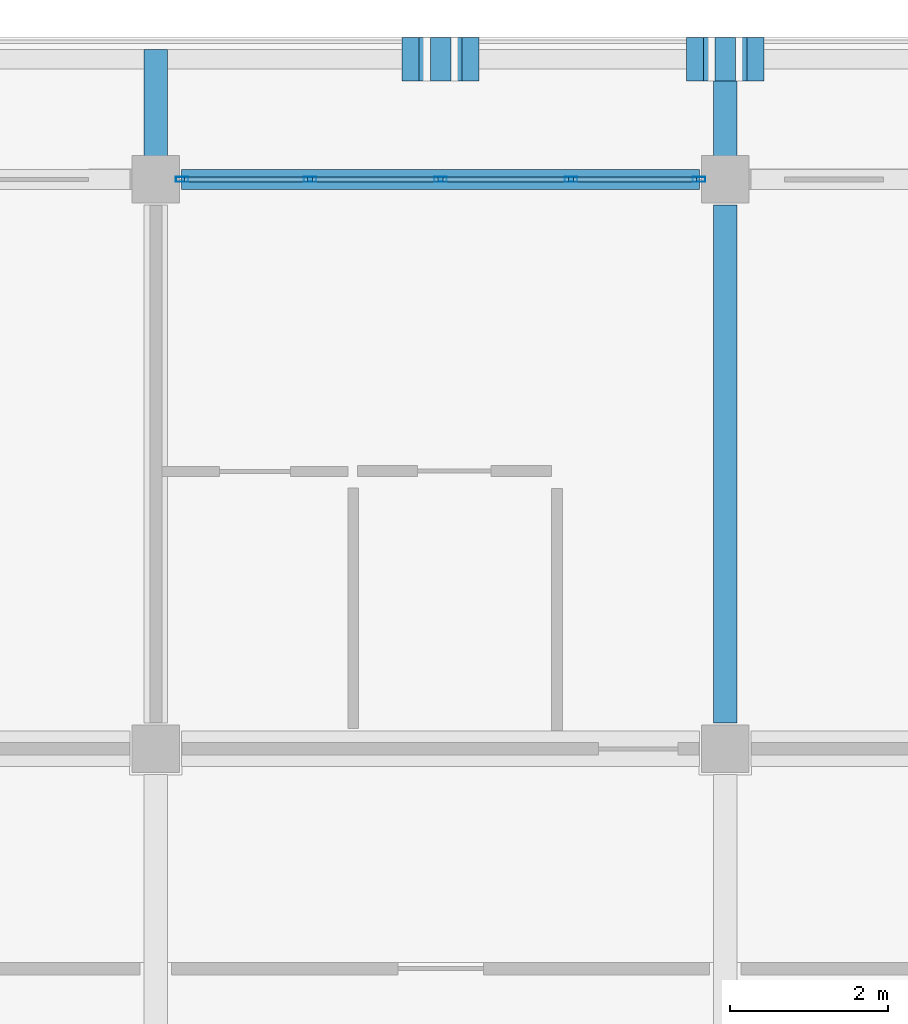
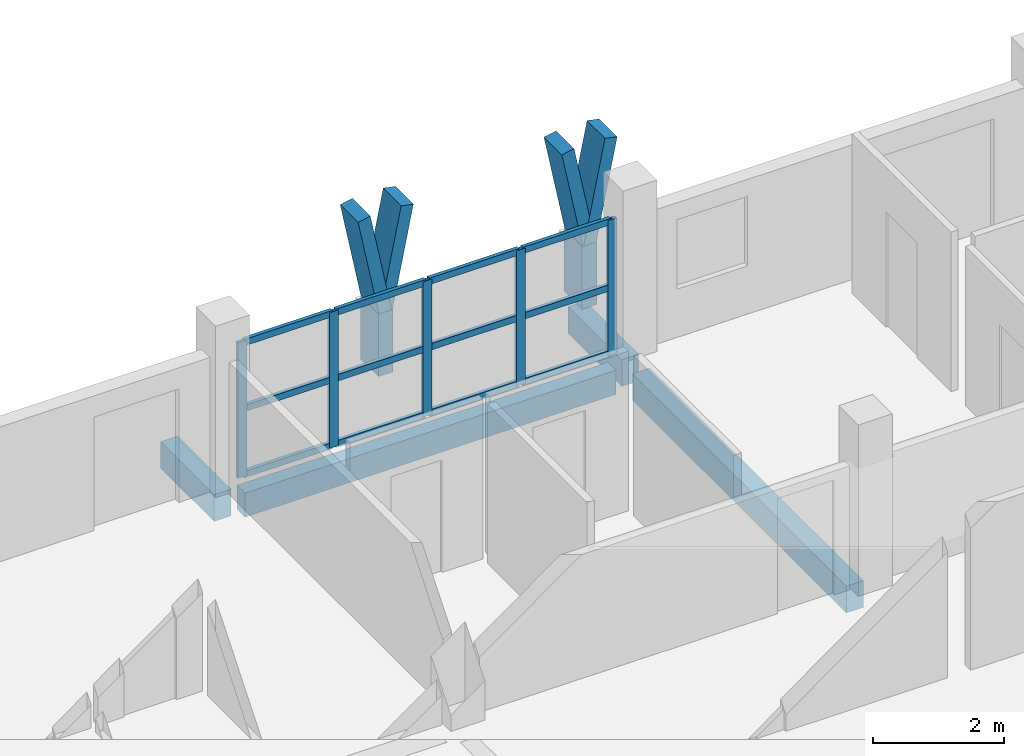
# One storey, part 9 of 73: 23 members, 4 beams, 1 element without a shape of its own.
"""IFC4 building model written with IfcOpenShell, lengths in metres."""

from ifc_helpers import new_model, si_unit, direction, frame, origin, origin_2d, place, context, subcontext, project, spatial, rectangle, hollow_rectangle, extrude, material, material_profile, profile_set, type_object, element, aggregate, save


model = new_model("IFC4")

# Units and contexts
model_context = context("Model", 3, precision=1e-05, world=origin(), true_north=direction((0.0, 1.0)))
body_context = subcontext(model_context, "Body", "Model", "MODEL_VIEW")
ifc_project = project(units=[si_unit("LENGTHUNIT", "METRE"), si_unit("AREAUNIT", "SQUARE_METRE"), si_unit("VOLUMEUNIT", "CUBIC_METRE"), si_unit("PLANEANGLEUNIT", "RADIAN"), si_unit("MASSUNIT", "GRAM", prefix="KILO")], contexts=[model_context])

# Site, building, storey
site_placement = place(None, origin())
site = spatial("IfcSite", under=ifc_project, at=site_placement, CompositionType="ELEMENT")
building_placement = place(site_placement, origin())
building = spatial("IfcBuilding", under=site, at=building_placement, Name="Suanplinth Sawtooth Commons", CompositionType="ELEMENT")
storey_placement = place(building_placement, frame((0.0, 0.0, 21.89990234375)))
storey = spatial("IfcBuildingStorey", under=building, at=storey_placement, Name="L06", CompositionType="ELEMENT", Elevation=21.89990234375)

# Beams
ifc_material_1 = material(Name="Precast concrete C40/50", Category="concrete")
ifc_material_profile_1 = material_profile(ifc_material_1, rectangle(XDim=0.300048828125, YDim=0.5, at=origin_2d()), Name="PC-BM 300x500")
ifc_profile_set_1 = profile_set([ifc_material_profile_1], Name="Precast concrete C40/50")
beam_type_1 = type_object("IfcBeamType", Name="B-07", PredefinedType="BEAM", material=ifc_profile_set_1)
beam_1_placement = place(storey_placement, frame((28.800048828125, 115.52490234375, -0.489990234375), z_axis=(0.0, 1.0, 0.0), x_axis=(-1.0, 0.0, 0.0)))
element("IfcBeam", 1, at=beam_1_placement, inside=storey, type_object=beam_type_1, Name="BMY-L06-A-4-16", PredefinedType="BEAM", context=body_context, shape_type="SweptSolid", body=[
    extrude(rectangle(XDim=0.300048828125, YDim=0.5, at=origin_2d()), origin(), (0.0, 0.0, 1.0), 6.550048828125),
])
for number, where, z_axis, x_axis, name in (
    (2, (21.60009765625, 122.39990234375, -0.429931640625), (0.0, 1.0, 0.0), (-1.0, 0.0, 0.0), "Balcony Outrigger L06-A-N-3"),
    (3, (28.800048828125, 122.39990234375, -0.429931640625), (0.0, 1.0, 0.0), (-1.0, 0.0, 0.0), "Balcony Outrigger L06-A-N-4"),
):
    element("IfcBeam", number, at=place(storey_placement, frame(where, z_axis=z_axis, x_axis=x_axis)), inside=storey, type_object=beam_type_1, Name=name, PredefinedType="BEAM", context=body_context, shape_type="SweptSolid", body=[
        extrude(rectangle(XDim=0.300048828125, YDim=0.5, at=origin_2d()), origin(), (0.0, 0.0, 1.0), 1.64013671875),
    ])
ifc_material_profile_2 = material_profile(ifc_material_1, rectangle(XDim=0.25, YDim=0.449951171875, at=origin_2d()), Name="PC-SP 250x450")
ifc_profile_set_2 = profile_set([ifc_material_profile_2], Name="Precast concrete C40/50")
beam_type_2 = type_object("IfcBeamType", Name="B-09", PredefinedType="SPANDREL", material=ifc_profile_set_2)
beam_2_placement = place(storey_placement, frame((21.925048828125, 122.39990234375, -0.46484375), z_axis=(1.0, 0.0, 0.0), x_axis=(0.0, 1.0, 0.0)))
element("IfcBeam", 4, at=beam_2_placement, inside=storey, type_object=beam_type_2, Name="BMX-L06-A-3-17", PredefinedType="SPANDREL", context=body_context, shape_type="SweptSolid", body=[
    extrude(rectangle(XDim=0.25, YDim=0.449951171875, at=origin_2d()), origin(), (0.0, 0.0, 1.0), 6.550048828125),
])

# Members
ifc_material_2 = material(Name="Pigmented precast concrete C40/50", Category="concrete")
ifc_material_profile_3 = material_profile(ifc_material_2, rectangle(XDim=0.260009765625, YDim=0.550048828125, at=origin_2d()), Name="PC-FIN 260x550")
ifc_profile_set_3 = profile_set([ifc_material_profile_3], Name="Pigmented precast concrete C40/50")
member_type_1 = type_object("IfcMemberType", Name="M-09", PredefinedType="USERDEFINED", material=ifc_profile_set_3)
for number, where, z_axis, x_axis, name in (
    (5, (25.199951171875, 123.919921875, 0.0), (0.0, 0.0, 1.0), (1.0, 0.0, 0.0), "Y-Blade Stem L06-A-N-01"),
    (6, (28.800048828125, 123.919921875, 0.0), (0.0, 0.0, 1.0), (1.0, 0.0, 0.0), "Y-Blade Stem L06-A-N-02"),
):
    element("IfcMember", number, at=place(storey_placement, frame(where, z_axis=z_axis, x_axis=x_axis)), inside=storey, type_object=member_type_1, Name=name, ObjectType="SHADING FIN", PredefinedType="USERDEFINED", context=body_context, shape_type="SweptSolid", body=[
        extrude(rectangle(XDim=0.260009765625, YDim=0.550048828125, at=origin_2d()), origin(), (0.0, 0.0, 1.0), 1.170166015625),
    ])
ifc_material_profile_4 = material_profile(ifc_material_2, rectangle(XDim=0.219970703125, YDim=0.550048828125, at=origin_2d()), Name="PC-FIN 220x550")
ifc_profile_set_4 = profile_set([ifc_material_profile_4], Name="Pigmented precast concrete C40/50")
member_type_2 = type_object("IfcMemberType", Name="M-10", PredefinedType="USERDEFINED", material=ifc_profile_set_4)
member_1_placement = place(storey_placement, frame((25.199951171875, 123.919921875, 1.130126953125), z_axis=(-0.196309979414, 0.0, 0.980541886909), x_axis=(0.980541886909, 0.0, 0.196309979414)))
element("IfcMember", 7, at=member_1_placement, inside=storey, type_object=member_type_2, Name="Y-Blade Arm L L06-A-N-01", ObjectType="SHADING FIN", PredefinedType="USERDEFINED", context=body_context, shape_type="SweptSolid", body=[
    extrude(rectangle(XDim=0.219970703125, YDim=0.550048828125, at=origin_2d()), origin(), (0.0, 0.0, 1.0), 1.9375),
])
for number, where, z_axis, x_axis, name in (
    (8, (25.199951171875, 123.919921875, 1.130126953125), (0.196431120402, 0.0, 0.980517626021), (-0.980517626021, 0.0, 0.196431120402), "Y-Blade Arm R L06-A-N-01"),
    (9, (28.800048828125, 123.919921875, 1.130126953125), (-0.196431120402, 0.0, 0.980517626021), (0.980517626021, 0.0, 0.196431120402), "Y-Blade Arm L L06-A-N-02"),
):
    element("IfcMember", number, at=place(storey_placement, frame(where, z_axis=z_axis, x_axis=x_axis)), inside=storey, type_object=member_type_2, Name=name, ObjectType="SHADING FIN", PredefinedType="USERDEFINED", context=body_context, shape_type="SweptSolid", body=[
        extrude(rectangle(XDim=0.219970703125, YDim=0.550048828125, at=origin_2d()), origin(), (0.0, 0.0, 1.0), 1.937744140625),
    ])
member_2_placement = place(storey_placement, frame((28.800048828125, 123.919921875, 1.130126953125), z_axis=(0.196309979414, 0.0, 0.980541886909), x_axis=(-0.980541886909, 0.0, 0.196309979414)))
element("IfcMember", 10, at=member_2_placement, inside=storey, type_object=member_type_2, Name="Y-Blade Arm R L06-A-N-02", ObjectType="SHADING FIN", PredefinedType="USERDEFINED", context=body_context, shape_type="SweptSolid", body=[
    extrude(rectangle(XDim=0.219970703125, YDim=0.550048828125, at=origin_2d()), origin(), (0.0, 0.0, 1.0), 1.9375),
])

# Curtain wall, members
ifc_material_3 = material(Name="Anodized aluminium and low-E glazing", Category="aluminium")
curtain_wall_type = type_object("IfcCurtainWallType", Name="CW-06", PredefinedType="USERDEFINED", material=ifc_material_3)
curtain_wall_placement = place(storey_placement, origin())
curtain_wall = element("IfcCurtainWall", 11, at=curtain_wall_placement, inside=storey, type_object=curtain_wall_type, Name="Curtain Wall CW-L06-A-LOUNGE-2", ObjectType="CURTAIN WALL", PredefinedType="USERDEFINED")
ifc_material_4 = material(Name="Anodized aluminium 6063-T6", Category="aluminium")
ifc_material_profile_5 = material_profile(ifc_material_4, hollow_rectangle(XDim=0.06494140625, YDim=0.159912109375, WallThickness=0.00390625, at=origin_2d()), Name="ALU-MUL 65x160")
ifc_profile_set_5 = profile_set([ifc_material_profile_5], Name="Anodized aluminium 6063-T6")
member_type_3 = type_object("IfcMemberType", Name="M-13", PredefinedType="MULLION", material=ifc_profile_set_5)
member_3_placement = place(storey_placement, frame((21.9326171875, 122.39990234375, 0.0), z_axis=(0.0, 0.0, 1.0), x_axis=(0.0, 1.0, 0.0)))
member_3 = element("IfcMember", 12, at=member_3_placement, type_object=member_type_3, Name="CW-06 mullion 1", PredefinedType="MULLION", context=body_context, shape_type="SweptSolid", body=[
    extrude(hollow_rectangle(XDim=0.06494140625, YDim=0.159912109375, WallThickness=0.00390625, at=origin_2d()), origin(), (0.0, 0.0, 1.0), 2.530029296875),
])
member_4_placement = place(storey_placement, frame((23.550048828125, 122.39990234375, 0.0), z_axis=(0.0, 0.0, 1.0), x_axis=(0.0, 1.0, 0.0)))
member_4 = element("IfcMember", 13, at=member_4_placement, type_object=member_type_3, Name="CW-06 mullion 2", PredefinedType="MULLION", context=body_context, shape_type="SweptSolid", body=[
    extrude(hollow_rectangle(XDim=0.06494140625, YDim=0.159912109375, WallThickness=0.00390625, at=origin_2d()), origin(), (0.0, 0.0, 1.0), 2.530029296875),
])
member_5_placement = place(storey_placement, frame((25.199951171875, 122.39990234375, 0.0), z_axis=(0.0, 0.0, 1.0), x_axis=(0.0, 1.0, 0.0)))
member_5 = element("IfcMember", 14, at=member_5_placement, type_object=member_type_3, Name="CW-06 mullion 3", PredefinedType="MULLION", context=body_context, shape_type="SweptSolid", body=[
    extrude(hollow_rectangle(XDim=0.06494140625, YDim=0.159912109375, WallThickness=0.00390625, at=origin_2d()), origin(), (0.0, 0.0, 1.0), 2.530029296875),
])
member_6_placement = place(storey_placement, frame((26.85009765625, 122.39990234375, 0.0), z_axis=(0.0, 0.0, 1.0), x_axis=(0.0, 1.0, 0.0)))
member_6 = element("IfcMember", 15, at=member_6_placement, type_object=member_type_3, Name="CW-06 mullion 4", PredefinedType="MULLION", context=body_context, shape_type="SweptSolid", body=[
    extrude(hollow_rectangle(XDim=0.06494140625, YDim=0.159912109375, WallThickness=0.00390625, at=origin_2d()), origin(), (0.0, 0.0, 1.0), 2.530029296875),
])
member_7_placement = place(storey_placement, frame((28.467529296875, 122.39990234375, 0.0), z_axis=(0.0, 0.0, 1.0), x_axis=(0.0, 1.0, 0.0)))
member_7 = element("IfcMember", 16, at=member_7_placement, type_object=member_type_3, Name="CW-06 mullion 5", PredefinedType="MULLION", context=body_context, shape_type="SweptSolid", body=[
    extrude(hollow_rectangle(XDim=0.06494140625, YDim=0.159912109375, WallThickness=0.00390625, at=origin_2d()), origin(), (0.0, 0.0, 1.0), 2.530029296875),
])
ifc_material_profile_6 = material_profile(ifc_material_4, hollow_rectangle(XDim=0.06494140625, YDim=0.1201171875, WallThickness=0.00390625, at=origin_2d()), Name="ALU-TRN 65x120")
ifc_profile_set_6 = profile_set([ifc_material_profile_6], Name="Anodized aluminium 6063-T6")
member_type_4 = type_object("IfcMemberType", Name="M-15", PredefinedType="USERDEFINED", material=ifc_profile_set_6)
member_8_placement = place(storey_placement, frame((21.965087890625, 122.39990234375, 0.03271484375), z_axis=(1.0, 0.0, 0.0), x_axis=(0.0, 1.0, 0.0)))
member_8 = element("IfcMember", 17, at=member_8_placement, type_object=member_type_4, Name="CW-06 transom 1.1", ObjectType="TRANSOM", PredefinedType="USERDEFINED", context=body_context, shape_type="SweptSolid", body=[
    extrude(hollow_rectangle(XDim=0.06494140625, YDim=0.1201171875, WallThickness=0.00390625, at=origin_2d()), origin(), (0.0, 0.0, 1.0), 1.552490234375),
])
member_9_placement = place(storey_placement, frame((21.965087890625, 122.39990234375, 1.26513671875), z_axis=(1.0, 0.0, 0.0), x_axis=(0.0, 1.0, 0.0)))
member_9 = element("IfcMember", 18, at=member_9_placement, type_object=member_type_4, Name="CW-06 transom 1.2", ObjectType="TRANSOM", PredefinedType="USERDEFINED", context=body_context, shape_type="SweptSolid", body=[
    extrude(hollow_rectangle(XDim=0.06494140625, YDim=0.1201171875, WallThickness=0.00390625, at=origin_2d()), origin(), (0.0, 0.0, 1.0), 1.552490234375),
])
member_10_placement = place(storey_placement, frame((21.965087890625, 122.39990234375, 2.49755859375), z_axis=(1.0, 0.0, 0.0), x_axis=(0.0, 1.0, 0.0)))
member_10 = element("IfcMember", 19, at=member_10_placement, type_object=member_type_4, Name="CW-06 transom 1.3", ObjectType="TRANSOM", PredefinedType="USERDEFINED", context=body_context, shape_type="SweptSolid", body=[
    extrude(hollow_rectangle(XDim=0.06494140625, YDim=0.1201171875, WallThickness=0.00390625, at=origin_2d()), origin(), (0.0, 0.0, 1.0), 1.552490234375),
])
member_11_placement = place(storey_placement, frame((23.58251953125, 122.39990234375, 0.03271484375), z_axis=(1.0, 0.0, 0.0), x_axis=(0.0, 1.0, 0.0)))
member_11 = element("IfcMember", 20, at=member_11_placement, type_object=member_type_4, Name="CW-06 transom 2.1", ObjectType="TRANSOM", PredefinedType="USERDEFINED", context=body_context, shape_type="SweptSolid", body=[
    extrude(hollow_rectangle(XDim=0.06494140625, YDim=0.1201171875, WallThickness=0.00390625, at=origin_2d()), origin(), (0.0, 0.0, 1.0), 1.5849609375),
])
member_12_placement = place(storey_placement, frame((23.58251953125, 122.39990234375, 1.26513671875), z_axis=(1.0, 0.0, 0.0), x_axis=(0.0, 1.0, 0.0)))
member_12 = element("IfcMember", 21, at=member_12_placement, type_object=member_type_4, Name="CW-06 transom 2.2", ObjectType="TRANSOM", PredefinedType="USERDEFINED", context=body_context, shape_type="SweptSolid", body=[
    extrude(hollow_rectangle(XDim=0.06494140625, YDim=0.1201171875, WallThickness=0.00390625, at=origin_2d()), origin(), (0.0, 0.0, 1.0), 1.5849609375),
])
member_13_placement = place(storey_placement, frame((23.58251953125, 122.39990234375, 2.49755859375), z_axis=(1.0, 0.0, 0.0), x_axis=(0.0, 1.0, 0.0)))
member_13 = element("IfcMember", 22, at=member_13_placement, type_object=member_type_4, Name="CW-06 transom 2.3", ObjectType="TRANSOM", PredefinedType="USERDEFINED", context=body_context, shape_type="SweptSolid", body=[
    extrude(hollow_rectangle(XDim=0.06494140625, YDim=0.1201171875, WallThickness=0.00390625, at=origin_2d()), origin(), (0.0, 0.0, 1.0), 1.5849609375),
])
member_14_placement = place(storey_placement, frame((25.232421875, 122.39990234375, 0.03271484375), z_axis=(1.0, 0.0, 0.0), x_axis=(0.0, 1.0, 0.0)))
member_14 = element("IfcMember", 23, at=member_14_placement, type_object=member_type_4, Name="CW-06 transom 3.1", ObjectType="TRANSOM", PredefinedType="USERDEFINED", context=body_context, shape_type="SweptSolid", body=[
    extrude(hollow_rectangle(XDim=0.06494140625, YDim=0.1201171875, WallThickness=0.00390625, at=origin_2d()), origin(), (0.0, 0.0, 1.0), 1.5849609375),
])
member_15_placement = place(storey_placement, frame((25.232421875, 122.39990234375, 1.26513671875), z_axis=(1.0, 0.0, 0.0), x_axis=(0.0, 1.0, 0.0)))
member_15 = element("IfcMember", 24, at=member_15_placement, type_object=member_type_4, Name="CW-06 transom 3.2", ObjectType="TRANSOM", PredefinedType="USERDEFINED", context=body_context, shape_type="SweptSolid", body=[
    extrude(hollow_rectangle(XDim=0.06494140625, YDim=0.1201171875, WallThickness=0.00390625, at=origin_2d()), origin(), (0.0, 0.0, 1.0), 1.5849609375),
])
member_16_placement = place(storey_placement, frame((25.232421875, 122.39990234375, 2.49755859375), z_axis=(1.0, 0.0, 0.0), x_axis=(0.0, 1.0, 0.0)))
member_16 = element("IfcMember", 25, at=member_16_placement, type_object=member_type_4, Name="CW-06 transom 3.3", ObjectType="TRANSOM", PredefinedType="USERDEFINED", context=body_context, shape_type="SweptSolid", body=[
    extrude(hollow_rectangle(XDim=0.06494140625, YDim=0.1201171875, WallThickness=0.00390625, at=origin_2d()), origin(), (0.0, 0.0, 1.0), 1.5849609375),
])
member_17_placement = place(storey_placement, frame((26.882568359375, 122.39990234375, 0.03271484375), z_axis=(1.0, 0.0, 0.0), x_axis=(0.0, 1.0, 0.0)))
member_17 = element("IfcMember", 26, at=member_17_placement, type_object=member_type_4, Name="CW-06 transom 4.1", ObjectType="TRANSOM", PredefinedType="USERDEFINED", context=body_context, shape_type="SweptSolid", body=[
    extrude(hollow_rectangle(XDim=0.06494140625, YDim=0.1201171875, WallThickness=0.00390625, at=origin_2d()), origin(), (0.0, 0.0, 1.0), 1.552490234375),
])
member_18_placement = place(storey_placement, frame((26.882568359375, 122.39990234375, 1.26513671875), z_axis=(1.0, 0.0, 0.0), x_axis=(0.0, 1.0, 0.0)))
member_18 = element("IfcMember", 27, at=member_18_placement, type_object=member_type_4, Name="CW-06 transom 4.2", ObjectType="TRANSOM", PredefinedType="USERDEFINED", context=body_context, shape_type="SweptSolid", body=[
    extrude(hollow_rectangle(XDim=0.06494140625, YDim=0.1201171875, WallThickness=0.00390625, at=origin_2d()), origin(), (0.0, 0.0, 1.0), 1.552490234375),
])
member_19_placement = place(storey_placement, frame((26.882568359375, 122.39990234375, 2.49755859375), z_axis=(1.0, 0.0, 0.0), x_axis=(0.0, 1.0, 0.0)))
member_19 = element("IfcMember", 28, at=member_19_placement, type_object=member_type_4, Name="CW-06 transom 4.3", ObjectType="TRANSOM", PredefinedType="USERDEFINED", context=body_context, shape_type="SweptSolid", body=[
    extrude(hollow_rectangle(XDim=0.06494140625, YDim=0.1201171875, WallThickness=0.00390625, at=origin_2d()), origin(), (0.0, 0.0, 1.0), 1.552490234375),
])
aggregate(curtain_wall, [member_3, member_4, member_5, member_6, member_7, member_8, member_9, member_10, member_11, member_12, member_13, member_14, member_15, member_16, member_17, member_18, member_19])

save(model, "model.ifc")
